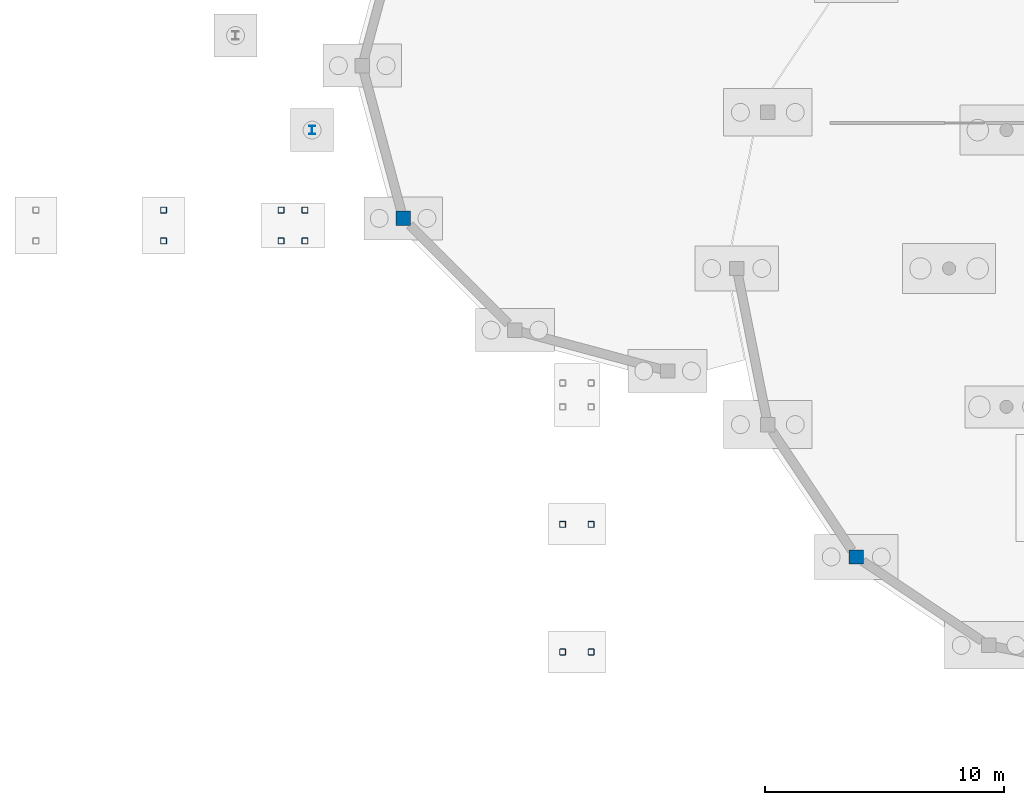
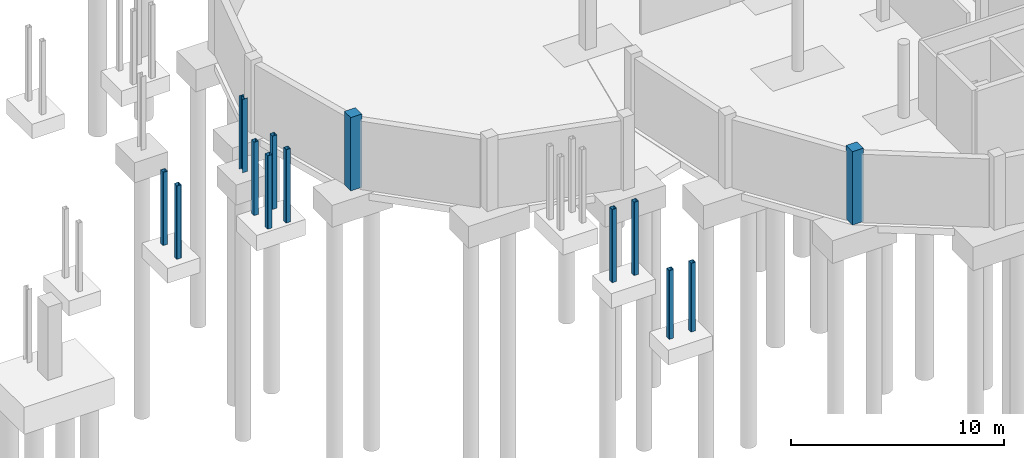
# One storey, part 12 of 43: 13 columns.
"""IFC4 building model written with IfcOpenShell, lengths in metres."""

from ifc_helpers import new_model, si_unit, direction, frame, origin, origin_2d, place, context, subcontext, project, spatial, rectangle, hollow_rectangle, i_section, extrude, material, material_profile, profile_set, type_object, element, save


model = new_model("IFC4")

# Units and contexts
model_context = context("Model", 3, precision=1e-05, world=origin(), true_north=direction((0.0, 1.0)))
body_context = subcontext(model_context, "Body", "Model", "MODEL_VIEW")
ifc_project = project(units=[si_unit("LENGTHUNIT", "METRE"), si_unit("AREAUNIT", "SQUARE_METRE"), si_unit("VOLUMEUNIT", "CUBIC_METRE"), si_unit("PLANEANGLEUNIT", "RADIAN"), si_unit("MASSUNIT", "GRAM", prefix="KILO")], contexts=[model_context])

# Site, building, storey
site_placement = place(None, origin())
site = spatial("IfcSite", under=ifc_project, at=site_placement, CompositionType="ELEMENT")
building_placement = place(site_placement, origin())
building = spatial("IfcBuilding", under=site, at=building_placement, Name="Vespera Passage Community Centre", CompositionType="ELEMENT")
storey_placement = place(building_placement, frame((0.0, 0.0, -4.199951171875)))
storey = spatial("IfcBuildingStorey", under=building, at=storey_placement, Name="B1", CompositionType="ELEMENT", Elevation=-4.199951171875)

# Columns
ifc_material_1 = material(Name="Steel ASTM A500 Grade C", Category="steel")
ifc_material_profile_1 = material_profile(ifc_material_1, hollow_rectangle(XDim=0.25390625, YDim=0.25390625, WallThickness=0.01171875, InnerFilletRadius=0.01171875, OuterFilletRadius=0.023681640625, at=origin_2d()), Name="HSS254X254X12.7")
ifc_profile_set_1 = profile_set([ifc_material_profile_1], Name="Steel ASTM A500 Grade C")
column_type_1 = type_object("IfcColumnType", Name="COL-HSS254E", PredefinedType="COLUMN", material=ifc_profile_set_1)
for number, where, z_axis, x_axis, name in (
    (1, (99.875, 26.155029296875, 0.0), (0.0, 0.0, 1.0), (1.0, 0.0, 0.0), "ST-CRT-01 Base Column M1"),
    (2, (99.875, 27.445068359375, 0.0), (0.0, 0.0, 1.0), (1.0, 0.0, 0.0), "ST-CRT-01 Base Column M2"),
    (3, (104.800048828125, 26.155029296875, 0.0), (0.0, 0.0, 1.0), (1.0, 0.0, 0.0), "ST-CRT-01 Base Column T1"),
    (4, (104.800048828125, 27.445068359375, 0.0), (0.0, 0.0, 1.0), (1.0, 0.0, 0.0), "ST-CRT-01 Base Column T2"),
    (5, (105.800048828125, 26.155029296875, 0.0), (0.0, 0.0, 1.0), (1.0, 0.0, 0.0), "ST-CRT-01 Base Column TF1"),
    (6, (105.800048828125, 27.445068359375, 0.0), (0.0, 0.0, 1.0), (1.0, 0.0, 0.0), "ST-CRT-01 Base Column TF2"),
):
    element("IfcColumn", number, at=place(storey_placement, frame(where, z_axis=z_axis, x_axis=x_axis)), inside=storey, type_object=column_type_1, Name=name, PredefinedType="COLUMN", context=body_context, shape_type="SweptSolid", body=[
        extrude(hollow_rectangle(XDim=0.25390625, YDim=0.25390625, WallThickness=0.01171875, InnerFilletRadius=0.01171875, OuterFilletRadius=0.023681640625, at=origin_2d()), origin(), (0.0, 0.0, 1.0), 4.199951171875),
    ])
for number, where, z_axis, x_axis, name in (
    (7, (117.794921875, 8.925048828125, 0.0), (0.0, 0.0, 1.0), (1.0, 0.0, 0.0), "ST-CRT-05 Base Column B1"),
    (8, (116.60498046875, 8.925048828125, 0.0), (0.0, 0.0, 1.0), (1.0, 0.0, 0.0), "ST-CRT-05 Base Column B2"),
):
    element("IfcColumn", number, at=place(storey_placement, frame(where, z_axis=z_axis, x_axis=x_axis)), inside=storey, type_object=column_type_1, Name=name, PredefinedType="COLUMN", context=body_context, shape_type="SweptSolid", body=[
        extrude(hollow_rectangle(XDim=0.25390625, YDim=0.25390625, WallThickness=0.01171875, InnerFilletRadius=0.01171875, OuterFilletRadius=0.023681640625, at=origin_2d()), origin(), (0.0, 0.0, 1.0), 3.93994140625),
    ])
for number, where, z_axis, x_axis, name in (
    (9, (117.794921875, 14.27490234375, 0.0), (0.0, 0.0, 1.0), (1.0, 0.0, 0.0), "ST-CRT-05 Base Column M1"),
    (10, (116.60498046875, 14.27490234375, 0.0), (0.0, 0.0, 1.0), (1.0, 0.0, 0.0), "ST-CRT-05 Base Column M2"),
):
    element("IfcColumn", number, at=place(storey_placement, frame(where, z_axis=z_axis, x_axis=x_axis)), inside=storey, type_object=column_type_1, Name=name, PredefinedType="COLUMN", context=body_context, shape_type="SweptSolid", body=[
        extrude(hollow_rectangle(XDim=0.25390625, YDim=0.25390625, WallThickness=0.01171875, InnerFilletRadius=0.01171875, OuterFilletRadius=0.023681640625, at=origin_2d()), origin(), (0.0, 0.0, 1.0), 4.199951171875),
    ])
ifc_material_2 = material(Name="Concrete f'c 45 MPa", Category="concrete")
ifc_material_profile_2 = material_profile(ifc_material_2, rectangle(XDim=0.60009765625, YDim=0.60009765625, at=origin_2d()), Name="RC600X600")
ifc_profile_set_2 = profile_set([ifc_material_profile_2], Name="Concrete f'c 45 MPa")
column_type_2 = type_object("IfcColumnType", Name="COL-RC600E", PredefinedType="COLUMN", material=ifc_profile_set_2)
for number, where, z_axis, x_axis, name in (
    (11, (128.908447265625, 12.908447265625, 0.0), (0.0, 0.0, 1.0), (1.0, 0.0, 0.0), "B1 Column V3-P11"),
    (12, (109.914794921875, 27.10009765625, 0.0), (0.0, 0.0, 1.0), (1.0, 0.0, 0.0), "B1 Column V3A-P08"),
):
    element("IfcColumn", number, at=place(storey_placement, frame(where, z_axis=z_axis, x_axis=x_axis)), inside=storey, type_object=column_type_2, Name=name, PredefinedType="COLUMN", context=body_context, shape_type="SweptSolid", body=[
        extrude(rectangle(XDim=0.60009765625, YDim=0.60009765625, at=origin_2d()), origin(), (0.0, 0.0, 1.0), 4.199951171875),
    ])
ifc_material_3 = material(Name="Steel ASTM A992 Grade 50", Category="steel")
ifc_material_profile_3 = material_profile(ifc_material_3, i_section(OverallWidth=0.2548828125, OverallDepth=0.356689453125, WebThickness=0.010498046875, FlangeThickness=0.018310546875, FilletRadius=0.01513671875, at=origin_2d()), Name="W14X68")
ifc_profile_set_3 = profile_set([ifc_material_profile_3], Name="Steel ASTM A992 Grade 50")
column_type_3 = type_object("IfcColumnType", Name="COL-W14X68I", PredefinedType="COLUMN", material=ifc_profile_set_3)
column_placement = place(storey_placement, frame((106.09912109375, 30.80029296875, 0.0), z_axis=(0.0, 0.0, 1.0), x_axis=(1.0, 0.0, 0.0)))
element("IfcColumn", 13, at=column_placement, inside=storey, type_object=column_type_3, Name="B1 Column TRANC-O206", PredefinedType="COLUMN", context=body_context, shape_type="SweptSolid", body=[
    extrude(i_section(OverallWidth=0.2548828125, OverallDepth=0.356689453125, WebThickness=0.010498046875, FlangeThickness=0.018310546875, FilletRadius=0.01513671875, at=origin_2d()), origin(), (0.0, 0.0, 1.0), 4.199951171875),
])

save(model, "model.ifc")
